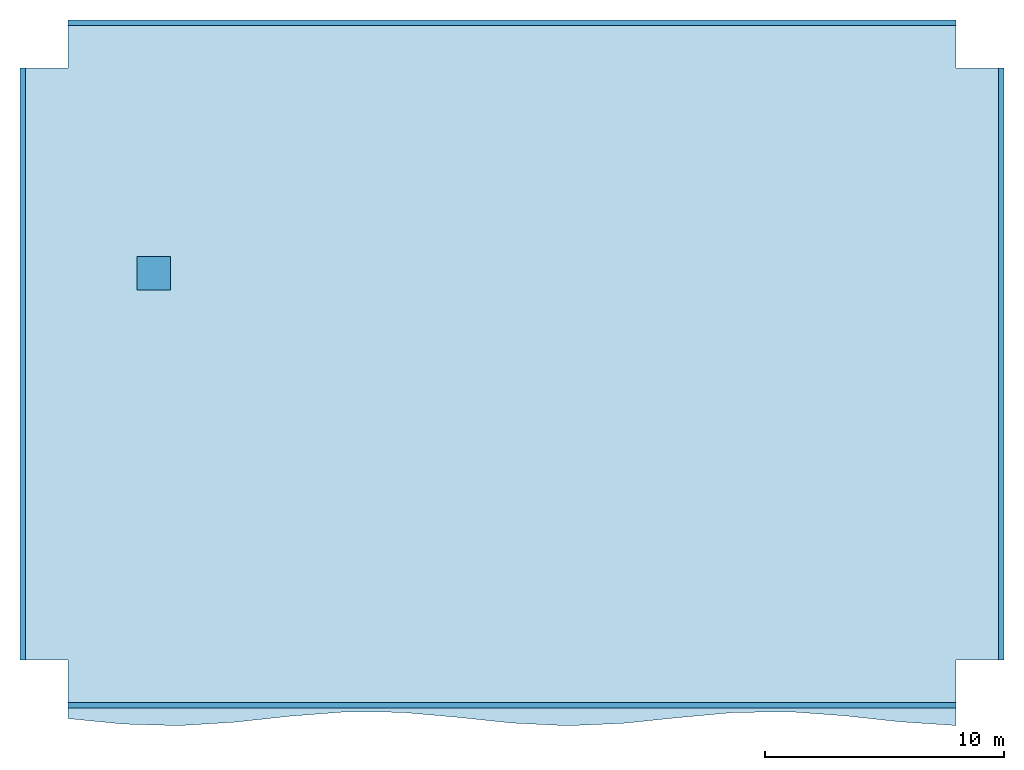
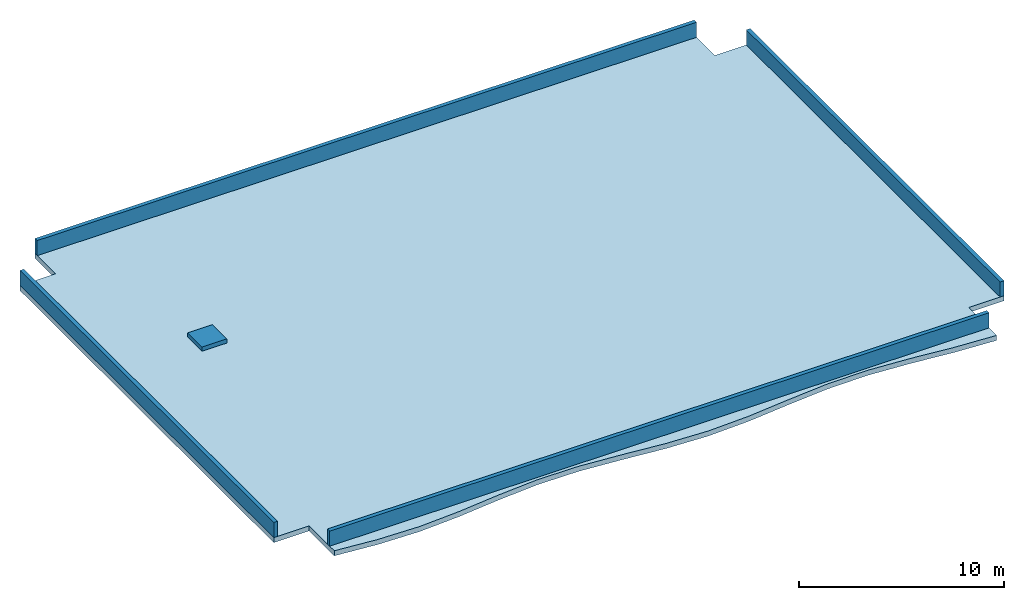
# One storey: 4 walls, 1 discrete accessory, 1 slab.
"""IFC4 building model written with IfcOpenShell, lengths in metres."""

from ifc_helpers import new_model, si_unit, direction, frame, frame_2d, origin, place, context, subcontext, project, spatial, polyline, rectangle, outline, extrude, material, layer, layer_set, type_object, element, save


model = new_model("IFC4")

# Units and contexts
model_context = context("Model", 3, precision=1e-05, world=origin(), true_north=direction((0.0, 1.0)))
body_context = subcontext(model_context, "Body", "Model", "MODEL_VIEW")
ifc_project = project(units=[si_unit("LENGTHUNIT", "METRE"), si_unit("AREAUNIT", "SQUARE_METRE"), si_unit("VOLUMEUNIT", "CUBIC_METRE"), si_unit("PLANEANGLEUNIT", "RADIAN"), si_unit("MASSUNIT", "GRAM", prefix="KILO")], contexts=[model_context])

# Site, building, storey
site_placement = place(None, origin())
site = spatial("IfcSite", under=ifc_project, at=site_placement, CompositionType="ELEMENT")
building_placement = place(site_placement, origin())
building = spatial("IfcBuilding", under=site, at=building_placement, Name="Caelmar Bay Residences", CompositionType="ELEMENT")
storey_placement = place(building_placement, frame((0.0, 0.0, 305.199951171875)))
storey = spatial("IfcBuildingStorey", under=building, at=storey_placement, Name="RF", CompositionType="ELEMENT", Elevation=305.199951171875)

# Slab
ifc_material_1 = material(Name="Concrete f'c 40 MPa (6,000 psi)", Category="concrete")
ifc_layer_1 = layer(ifc_material_1, 0.300048828125)
ifc_layer_set_1 = layer_set([ifc_layer_1], Name="Concrete f'c 40 MPa (6,000 psi)")
slab_type = type_object("IfcSlabType", Name="SLB-CRN-300", PredefinedType="ROOF", material=ifc_layer_set_1)
slab_placement = place(storey_placement, origin())
element("IfcSlab", 1, at=slab_placement, inside=storey, type_object=slab_type, Name="Crown Wave-Edged Roof Slab", PredefinedType="ROOF", context=body_context, shape_type="SweptSolid", body=[
    extrude(outline(polyline([(20.300048828125, 21.35009765625), (22.625, 21.120849609375), (24.949951171875, 21.05419921875), (27.27490234375, 21.197509765625), (29.60009765625, 21.44921875), (31.925048828125, 21.63037109375), (34.25, 21.612548828125), (36.574951171875, 21.408447265625), (38.89990234375, 21.1630859375), (41.22509765625, 21.050048828125), (43.550048828125, 21.150146484375), (45.875, 21.391845703125), (48.199951171875, 21.60400390625), (50.52490234375, 21.6357421875), (52.85009765625, 21.46484375), (55.175048828125, 21.21240234375), (57.5, 21.0576171875), (57.5, 23.800048828125), (59.5, 23.800048828125), (59.5, 48.60009765625), (57.5, 48.60009765625), (57.5, 50.60009765625), (20.300048828125, 50.60009765625), (20.300048828125, 48.60009765625), (18.300048828125, 48.60009765625), (18.300048828125, 23.800048828125), (20.300048828125, 23.800048828125), (20.300048828125, 21.35009765625)]), holes=[polyline([(23.300048828125, 39.39990234375), (24.5, 39.39990234375), (24.5, 40.60009765625), (23.300048828125, 40.60009765625), (23.300048828125, 39.39990234375)])]), origin(), (0.0, 0.0, 1.0), 0.300048828125),
])

# Walls
ifc_material_2 = material(Name="Precast concrete f'c 40 MPa (6,000 psi)", Category="concrete")
ifc_layer_2 = layer(ifc_material_2, 0.219970703125)
ifc_layer_set_2 = layer_set([ifc_layer_2], Name="Precast concrete f'c 40 MPa (6,000 psi)")
wall_type = type_object("IfcWallType", Name="W-PAR-220", PredefinedType="PARAPET", material=ifc_layer_set_2)
for number, where, z_axis, x_axis, name in (
    (2, (57.5, 21.909912109375, 0.300048828125), (0.0, 0.0, 1.0), (-1.0, 0.0, 0.0), "Crown Roof Parapet S"),
    (3, (20.300048828125, 50.489990234375, 0.300048828125), (0.0, 0.0, 1.0), (1.0, 0.0, 0.0), "Crown Roof Parapet N"),
):
    element("IfcWall", number, at=place(storey_placement, frame(where, z_axis=z_axis, x_axis=x_axis)), inside=storey, type_object=wall_type, Name=name, PredefinedType="PARAPET", context=body_context, shape_type="SweptSolid", body=[
        extrude(rectangle(XDim=37.199951171875, YDim=0.219970703125, at=frame_2d((18.60009765625, 0.0))), origin(), (0.0, 0.0, 1.0), 0.89990234375),
    ])
for number, where, z_axis, x_axis, name in (
    (4, (18.409912109375, 23.800048828125, 0.300048828125), (0.0, 0.0, 1.0), (0.0, 1.0, 0.0), "Crown Roof Parapet W"),
    (5, (59.389892578125, 48.60009765625, 0.300048828125), (0.0, 0.0, 1.0), (0.0, -1.0, 0.0), "Crown Roof Parapet E"),
):
    element("IfcWall", number, at=place(storey_placement, frame(where, z_axis=z_axis, x_axis=x_axis)), inside=storey, type_object=wall_type, Name=name, PredefinedType="PARAPET", context=body_context, shape_type="SweptSolid", body=[
        extrude(rectangle(XDim=24.800048828125, YDim=0.219970703125, at=frame_2d((12.39990234375, 0.0))), origin(), (0.0, 0.0, 1.0), 0.89990234375),
    ])

# Discrete accessory
ifc_material_3 = material(Name="Anodised bronze aluminium", Category="aluminium")
discrete_accessory_type = type_object("IfcDiscreteAccessoryType", Name="ACC-RFHATCH-1200", PredefinedType="USERDEFINED", material=ifc_material_3)
discrete_accessory_placement = place(storey_placement, frame((0.0, 0.0, 0.300048828125)))
element("IfcDiscreteAccessory", 6, at=discrete_accessory_placement, inside=storey, type_object=discrete_accessory_type, Name="Crown Roof Maintenance Access Hatch", ObjectType="ROOF_HATCH", PredefinedType="USERDEFINED", context=body_context, shape_type="SweptSolid", body=[
    extrude(outline(polyline([(23.199951171875, 39.300048828125), (24.60009765625, 39.300048828125), (24.60009765625, 40.699951171875), (23.199951171875, 40.699951171875), (23.199951171875, 39.300048828125)])), origin(), (0.0, 0.0, 1.0), 0.25),
])

save(model, "model.ifc")
